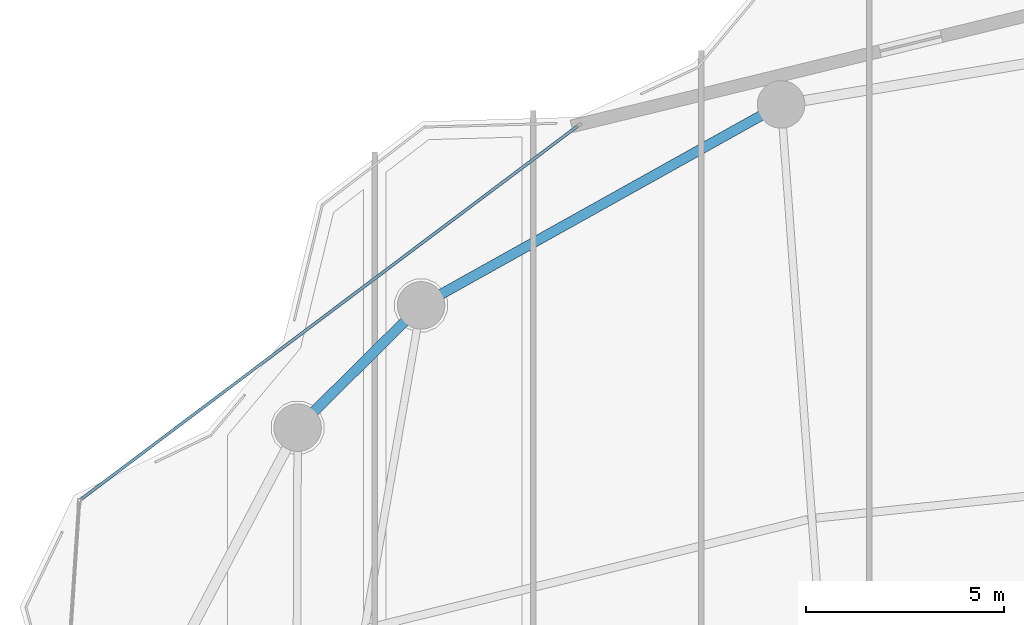
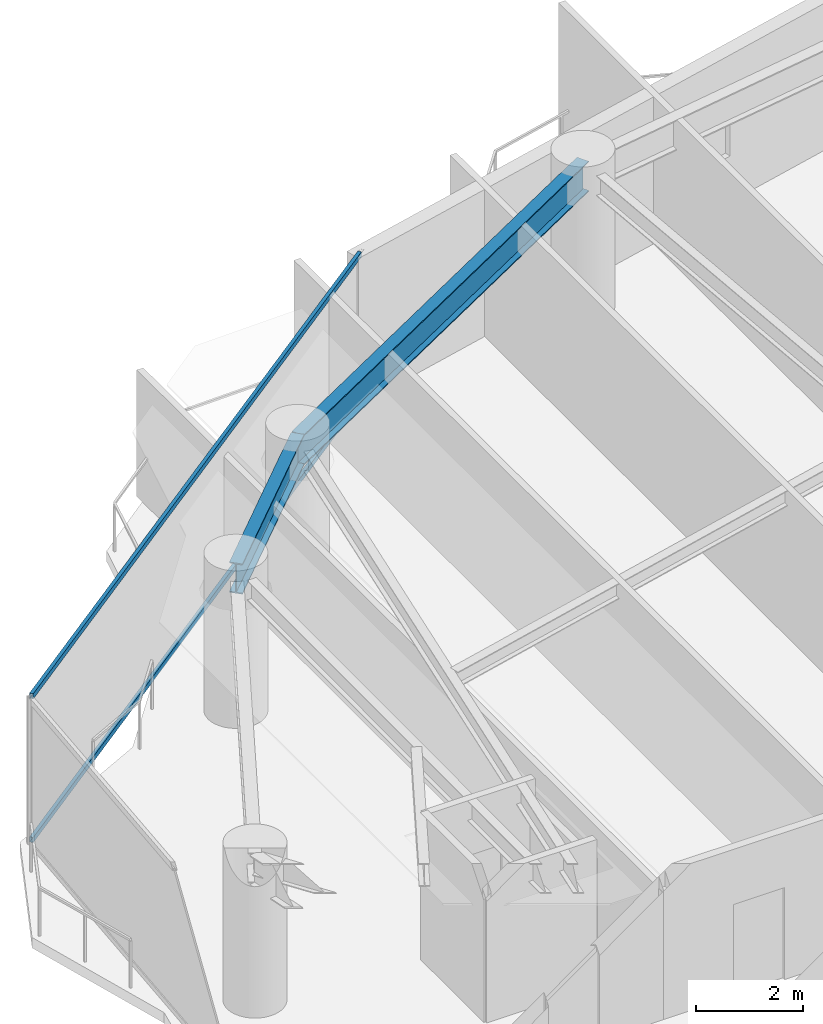
# One storey, part 17 of 30: 2 beams, 2 members, 1 element without a shape of its own.
"""IFC4 building model written with IfcOpenShell, lengths in metres."""

from ifc_helpers import new_model, si_unit, direction, frame, origin, origin_2d, place, context, subcontext, project, spatial, hollow_rectangle, i_section, extrude, material, layer, layer_set, material_profile, profile_set, type_object, element, aggregate, save


model = new_model("IFC4")

# Units and contexts
model_context = context("Model", 3, precision=1e-05, world=origin(), true_north=direction((0.0, 1.0)))
body_context = subcontext(model_context, "Body", "Model", "MODEL_VIEW")
ifc_project = project(units=[si_unit("LENGTHUNIT", "METRE"), si_unit("AREAUNIT", "SQUARE_METRE"), si_unit("VOLUMEUNIT", "CUBIC_METRE"), si_unit("PLANEANGLEUNIT", "RADIAN"), si_unit("MASSUNIT", "GRAM", prefix="KILO")], contexts=[model_context])

# Site, building, storey
site_placement = place(None, origin())
site = spatial("IfcSite", under=ifc_project, at=site_placement, CompositionType="ELEMENT")
building_placement = place(site_placement, origin())
building = spatial("IfcBuilding", under=site, at=building_placement, Name="Kazevale Care Tower and Concert Hall", CompositionType="ELEMENT")
storey_placement = place(building_placement, frame((0.0, 0.0, 113.39990234375)))
storey = spatial("IfcBuildingStorey", under=building, at=storey_placement, Name="L29", CompositionType="ELEMENT", Elevation=113.39990234375)

# Curtain wall, members
ifc_material_1 = material(Name="Aluminium 6063-T6 and Low-E Glass", Category="aluminium")
ifc_layer = layer(ifc_material_1, 0.179931640625)
ifc_layer_set = layer_set([ifc_layer], Name="Aluminium 6063-T6 and Low-E Glass")
curtain_wall_type = type_object("IfcCurtainWallType", Name="Convex Recessed Sunroom Curtain Wall CW-3", PredefinedType="NOTDEFINED", material=ifc_layer_set)
curtain_wall_placement = place(storey_placement, origin())
curtain_wall = element("IfcCurtainWall", 1, at=curtain_wall_placement, inside=storey, type_object=curtain_wall_type, Name="cw:L29:f14", PredefinedType="NOTDEFINED")
ifc_material_2 = material(Name="Aluminium 6063-T6", Category="aluminium")
ifc_material_profile_1 = material_profile(ifc_material_2, hollow_rectangle(XDim=0.074951171875, YDim=0.1201171875, WallThickness=0.00390625, at=origin_2d()), Name="ALU75x120x4")
ifc_profile_set_1 = profile_set([ifc_material_profile_1], Name="Aluminium 6063-T6")
member_type = type_object("IfcMemberType", Name="CW-3 Transom ALU75x120x4", PredefinedType="USERDEFINED", material=ifc_profile_set_1)
member_1_placement = place(storey_placement, frame((16.5888671875, 49.68994140625, 0.03759765625), z_axis=(0.79939444404, 0.600806560249, 0.0), x_axis=(-0.600806560249, 0.79939444404, 0.0)))
member_1 = element("IfcMember", 2, at=member_1_placement, type_object=member_type, Name="CW-3 transom 1.1", ObjectType="TRANSOM", PredefinedType="USERDEFINED", context=body_context, shape_type="SweptSolid", body=[
    extrude(hollow_rectangle(XDim=0.074951171875, YDim=0.1201171875, WallThickness=0.00390625, at=origin_2d()), origin(), (0.0, 0.0, 1.0), 15.685791015625),
])
member_2_placement = place(storey_placement, frame((16.5888671875, 49.68994140625, 3.322509765625), z_axis=(0.79939444404, 0.600806560249, 0.0), x_axis=(-0.600806560249, 0.79939444404, 0.0)))
member_2 = element("IfcMember", 3, at=member_2_placement, type_object=member_type, Name="CW-3 transom 1.2", ObjectType="TRANSOM", PredefinedType="USERDEFINED", context=body_context, shape_type="SweptSolid", body=[
    extrude(hollow_rectangle(XDim=0.074951171875, YDim=0.1201171875, WallThickness=0.00390625, at=origin_2d()), origin(), (0.0, 0.0, 1.0), 15.685791015625),
])
aggregate(curtain_wall, [member_1, member_2])

# Beams
ifc_material_3 = material(Name="Steel ASTM A572 Gr 50", Category="steel")
ifc_material_profile_2 = material_profile(ifc_material_3, i_section(OverallWidth=0.256103515625, OverallDepth=0.693115234375, WebThickness=0.014404296875, FlangeThickness=0.023681640625, at=origin_2d()), Name="W690x170")
ifc_profile_set_2 = profile_set([ifc_material_profile_2], Name="Steel ASTM A572 Gr 50")
beam_type = type_object("IfcBeamType", Name="Waist Ring Beam W690x170", PredefinedType="BEAM", material=ifc_profile_set_2)
beam_1_placement = place(storey_placement, frame((34.27001953125, 59.659912109375, 3.013671875), z_axis=(-0.873168720251, -0.487418081297, 0.0), x_axis=(0.487418081297, -0.873168720251, 0.0)))
element("IfcBeam", 4, at=beam_1_placement, inside=storey, type_object=beam_type, Name="beam:L29:ring:06", PredefinedType="BEAM", context=body_context, shape_type="SweptSolid", body=[
    extrude(i_section(OverallWidth=0.256103515625, OverallDepth=0.693115234375, WebThickness=0.014404296875, FlangeThickness=0.023681640625, at=origin_2d()), origin(), (0.0, 0.0, 1.0), 10.421875),
])
beam_2_placement = place(storey_placement, frame((25.169921875, 54.580078125, 3.013671875), z_axis=(-0.710490141585, -0.703707154085, 0.0), x_axis=(0.703707154085, -0.710490141585, 0.0)))
element("IfcBeam", 5, at=beam_2_placement, inside=storey, type_object=beam_type, Name="beam:L29:ring:07", PredefinedType="BEAM", context=body_context, shape_type="SweptSolid", body=[
    extrude(i_section(OverallWidth=0.256103515625, OverallDepth=0.693115234375, WebThickness=0.014404296875, FlangeThickness=0.023681640625, at=origin_2d()), origin(), (0.0, 0.0, 1.0), 4.39111328125),
])

save(model, "model.ifc")
